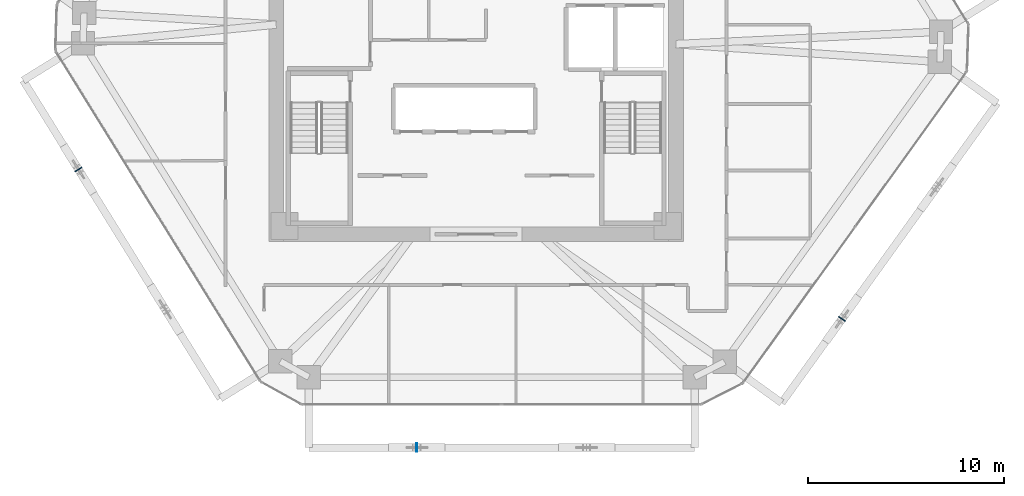
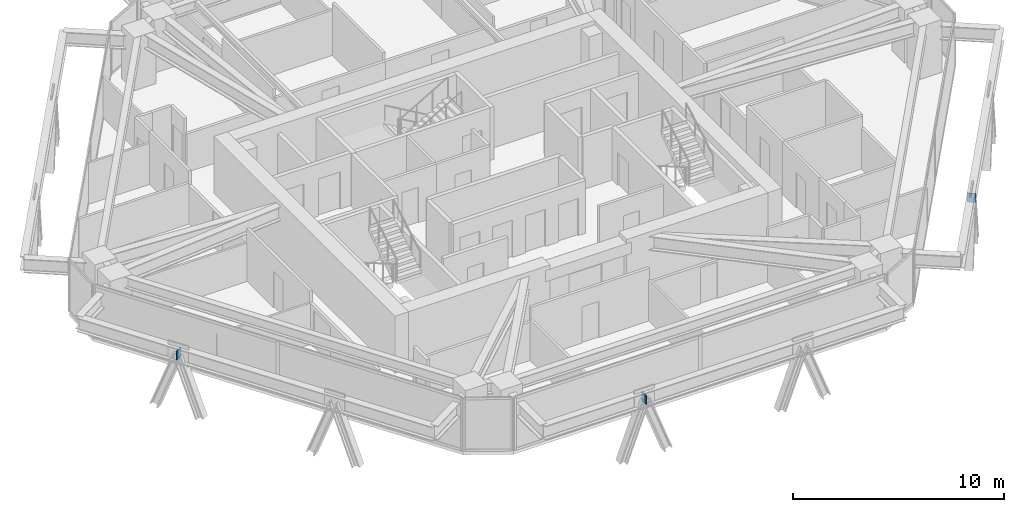
# One storey, part 10 of 16: 3 plates.
"""IFC4 building model written with IfcOpenShell, lengths in metres."""

from ifc_helpers import new_model, si_unit, direction, frame, origin, origin_2d, place, context, subcontext, project, spatial, rectangle, extrude, source, transform, mapped, material, layer, layer_set, type_object, type_shapes, element, save


model = new_model("IFC4")

# Units and contexts
model_context = context("Model", 3, precision=1e-05, world=origin(), true_north=direction((0.0, 1.0)))
body_context = subcontext(model_context, "Body", "Model", "MODEL_VIEW")
ifc_project = project(units=[si_unit("LENGTHUNIT", "METRE"), si_unit("AREAUNIT", "SQUARE_METRE"), si_unit("VOLUMEUNIT", "CUBIC_METRE"), si_unit("PLANEANGLEUNIT", "RADIAN"), si_unit("MASSUNIT", "GRAM", prefix="KILO")], contexts=[model_context])

# Site, building, storey
site_placement = place(None, origin())
site = spatial("IfcSite", under=ifc_project, at=site_placement, CompositionType="ELEMENT")
building_placement = place(site_placement, origin())
building = spatial("IfcBuilding", under=site, at=building_placement, Name="Durnholm Broadcast Tower", CompositionType="ELEMENT")
storey_placement = place(building_placement, frame((0.0, 0.0, 117.300048828125)))
storey = spatial("IfcBuildingStorey", under=building, at=storey_placement, Name="L31", CompositionType="ELEMENT", Elevation=117.300048828125)

# Plates
ifc_material = material(Name="Steel ASTM A572 Grade 50", Category="steel")
ifc_layer = layer(ifc_material, 0.044921875)
ifc_layer_set = layer_set([ifc_layer], Name="Steel ASTM A572 Grade 50")
plate_type = type_object("IfcPlateType", Name="PLT-KN-STIF", PredefinedType="SHEET", material=ifc_layer_set)
shared_shape = source(origin(), body_context, "Body", "SweptSolid", [
    extrude(rectangle(XDim=0.044921875, YDim=0.419921875, at=origin_2d()), origin(), (0.0, 0.0, 1.0), 0.52001953125),
])
type_shapes(plate_type, [shared_shape])
for number, where, z_axis, x_axis, name in (
    (1, (-3.028076171875, -19.136962890625, 2.048583984375), (0.0, 0.0, 1.0), (1.0, 0.0, 0.0), "L31 welded diagrid node stiffener plate F1"),
    (2, (18.71875, -12.556396484375, 2.048583984375), (0.0, 0.0, 1.0), (0.583399467156, 0.812185361677, 0.0), "L31 welded diagrid node stiffener plate F2"),
    (3, (-20.337158203125, -4.910400390625, 2.048583984375), (0.0, 0.0, 1.0), (0.527104121728, -0.849800708906, 0.0), "L31 welded diagrid node stiffener plate F6"),
):
    element("IfcPlate", number, at=place(storey_placement, frame(where, z_axis=z_axis, x_axis=x_axis)), inside=storey, type_object=plate_type, Name=name, PredefinedType="SHEET", context=body_context, shape_type="MappedRepresentation", body=[
        mapped(shared_shape, transform((0.0, 0.0, 0.0), x_axis=(1.0, 0.0, 0.0), y_axis=(0.0, 1.0, 0.0), z_axis=(0.0, 0.0, 1.0), scale=1.0)),
    ])

save(model, "model.ifc")
